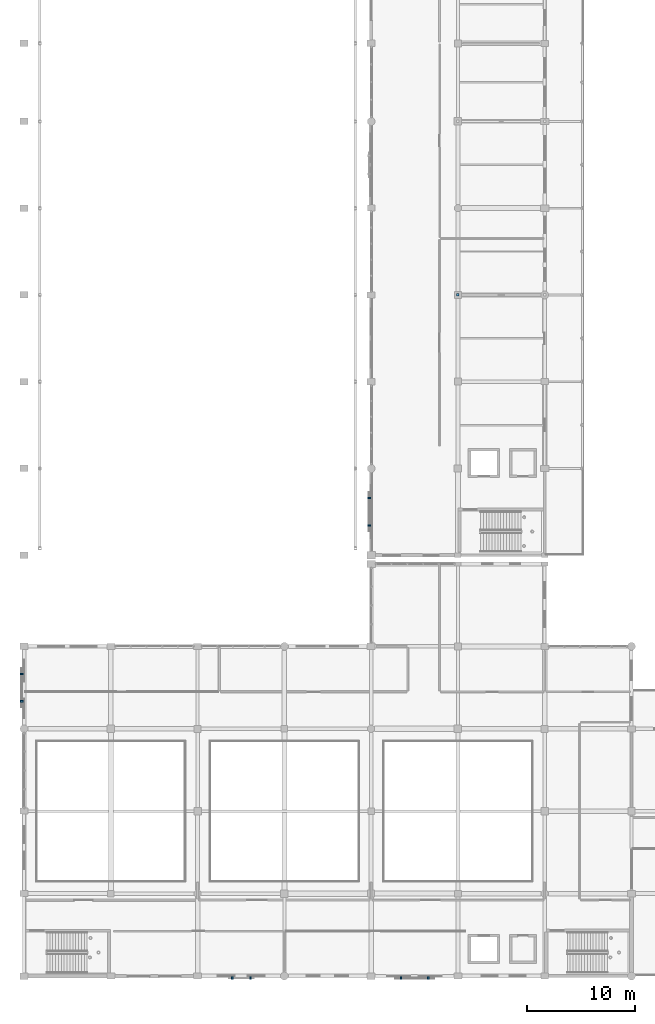
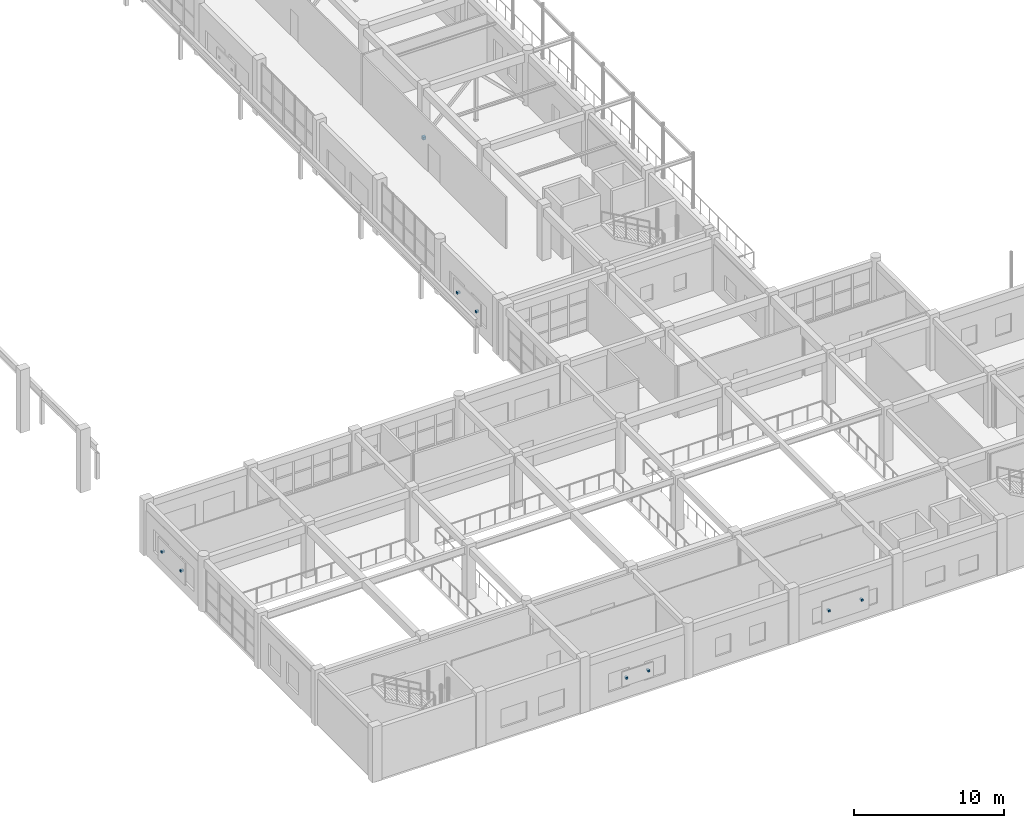
# One storey, part 139 of 160: 9 discrete accessories.
"""IFC4 building model written with IfcOpenShell, lengths in metres."""

from ifc_helpers import new_model, si_unit, direction, frame, origin, origin_2d, place, context, subcontext, project, spatial, rectangle, extrude, material, type_object, element, save


model = new_model("IFC4")

# Units and contexts
model_context = context("Model", 3, precision=1e-05, world=origin(), true_north=direction((0.0, 1.0)))
body_context = subcontext(model_context, "Body", "Model", "MODEL_VIEW")
ifc_project = project(units=[si_unit("LENGTHUNIT", "METRE"), si_unit("AREAUNIT", "SQUARE_METRE"), si_unit("VOLUMEUNIT", "CUBIC_METRE"), si_unit("PLANEANGLEUNIT", "RADIAN"), si_unit("MASSUNIT", "GRAM", prefix="KILO")], contexts=[model_context])

# Site, building, storey
site_placement = place(None, origin())
site = spatial("IfcSite", under=ifc_project, at=site_placement, CompositionType="ELEMENT")
building_placement = place(site_placement, origin())
building = spatial("IfcBuilding", under=site, at=building_placement, Name="Kharva Crest Polytechnic", CompositionType="ELEMENT")
storey_placement = place(building_placement, frame((0.0, 0.0, 4.5)))
storey = spatial("IfcBuildingStorey", under=building, at=storey_placement, Name="L01", CompositionType="ELEMENT", Elevation=4.5)

# Discrete accessories
ifc_material_1 = material(Name="Anodised aluminium", Category="aluminium")
discrete_accessory_type_1 = type_object("IfcDiscreteAccessoryType", Name="ACC-BRK-JAALI", PredefinedType="BRACKET", material=ifc_material_1)
for number, where, z_axis, x_axis, name in (
    (1, (19.186279296875, -0.179931640625, 1.56982421875), (0.0, 0.0, 1.0), (1.0, 0.0, 0.0), "L01 Jaali Screen Bracket 26.1"),
    (2, (20.8662109375, -0.179931640625, 1.56982421875), (0.0, 0.0, 1.0), (1.0, 0.0, 0.0), "L01 Jaali Screen Bracket 26.2"),
    (3, (34.739990234375, -0.1650390625, 1.56982421875), (0.0, 0.0, 1.0), (1.0, 0.0, 0.0), "L01 Jaali Screen Bracket 27.1"),
    (4, (37.260009765625, -0.1650390625, 1.56982421875), (0.0, 0.0, 1.0), (1.0, 0.0, 0.0), "L01 Jaali Screen Bracket 27.2"),
    (5, (-0.2099609375, 27.86376953125, 1.56982421875), (0.0, 0.0, 1.0), (0.0, 1.0, 0.0), "L01 Jaali Screen Bracket 30.1"),
    (6, (-0.2099609375, 25.34375, 1.56982421875), (0.0, 0.0, 1.0), (0.0, 1.0, 0.0), "L01 Jaali Screen Bracket 30.2"),
    (7, (31.827392578125, 44.06884765625, 1.56982421875), (0.0, 0.0, 1.0), (0.0, 1.0, 0.0), "L01 Jaali Screen Bracket 36.1"),
    (8, (31.827392578125, 41.548828125, 1.56982421875), (0.0, 0.0, 1.0), (0.0, 1.0, 0.0), "L01 Jaali Screen Bracket 36.2"),
):
    element("IfcDiscreteAccessory", number, at=place(storey_placement, frame(where, z_axis=z_axis, x_axis=x_axis)), inside=storey, type_object=discrete_accessory_type_1, Name=name, PredefinedType="BRACKET", context=body_context, shape_type="SweptSolid", body=[
        extrude(rectangle(XDim=0.159912109375, YDim=0.239990234375, at=origin_2d()), origin(), (0.0, 0.0, 1.0), 0.159912109375),
    ])
ifc_material_2 = material(Name="Steel S355", Category="steel")
discrete_accessory_type_2 = type_object("IfcDiscreteAccessoryType", Name="ACC-SHOE-BF240", PredefinedType="SHOE", material=ifc_material_2)
discrete_accessory_placement = place(storey_placement, frame((40.0, 62.800048828125, -0.1201171875), z_axis=(0.0, 0.0, 1.0), x_axis=(1.0, 0.0, 0.0)))
element("IfcDiscreteAccessory", 9, at=discrete_accessory_placement, inside=storey, type_object=discrete_accessory_type_2, Name="L01 Brace Foot Shoe 2A", PredefinedType="SHOE", context=body_context, shape_type="SweptSolid", body=[
    extrude(rectangle(XDim=0.239990234375, YDim=0.239990234375, at=origin_2d()), origin(), (0.0, 0.0, 1.0), 0.239990234375),
])

save(model, "model.ifc")
